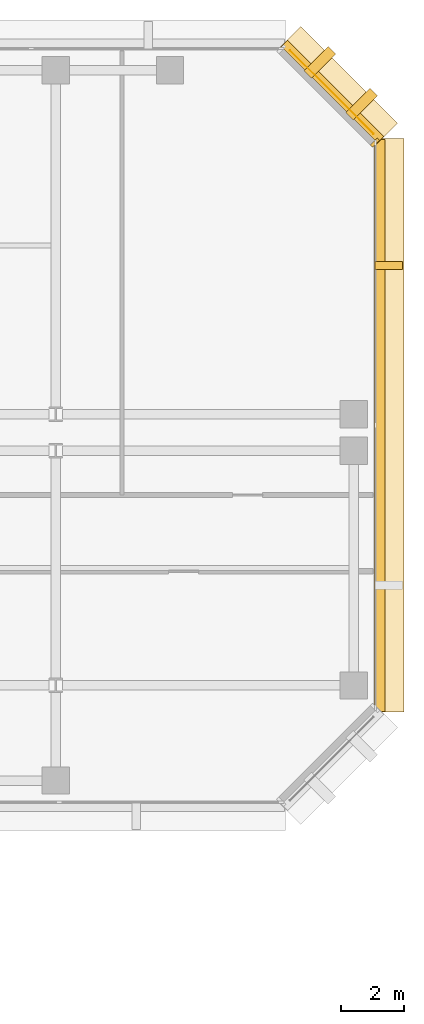
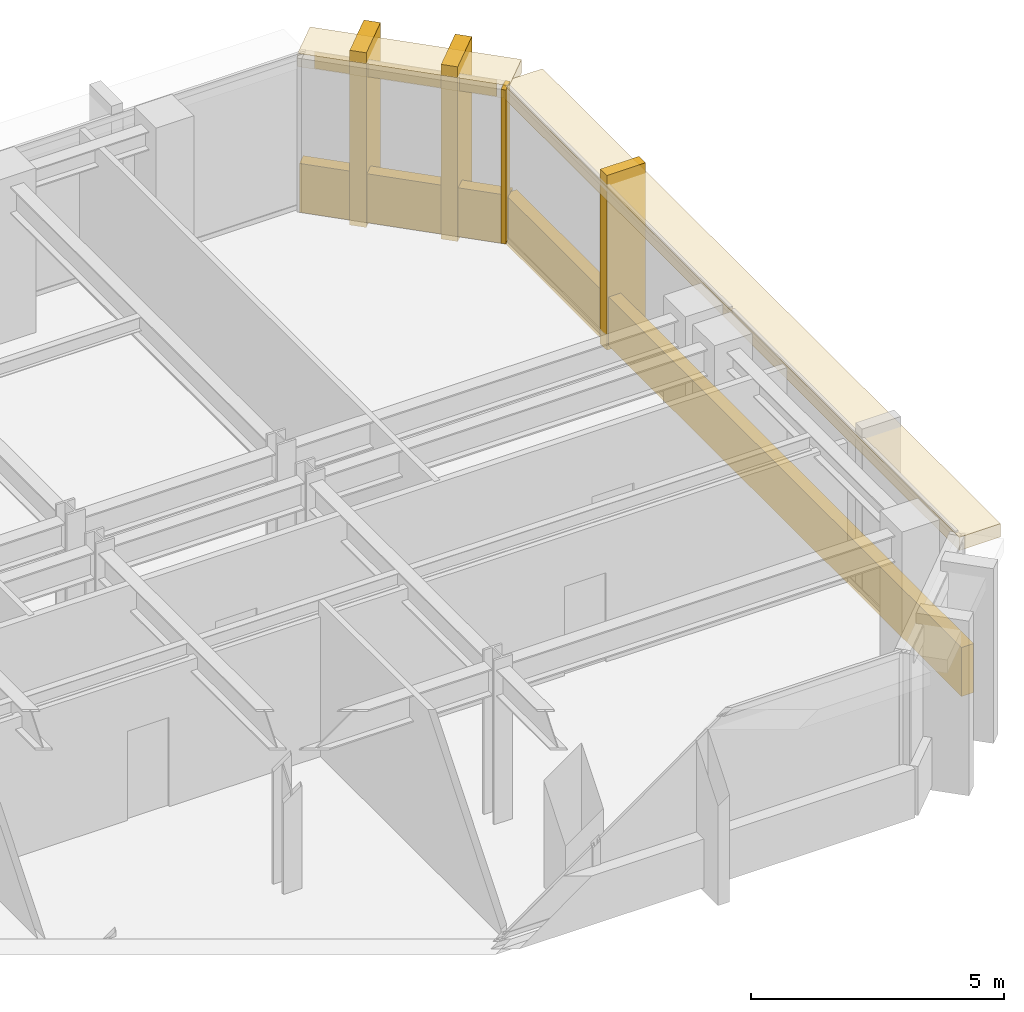
# One storey, part 12 of 12: 9 coverings.
"""IFC4 building model written with IfcOpenShell, lengths in metres."""

from ifc_helpers import new_model, si_unit, direction, frame, origin, origin_2d, place, context, subcontext, project, spatial, rectangle, extrude, material, layer, layer_set, type_object, element, save


model = new_model("IFC4")

# Units and contexts
model_context = context("Model", 3, precision=1e-05, world=origin(), true_north=direction((0.0, 1.0)))
body_context = subcontext(model_context, "Body", "Model", "MODEL_VIEW")
ifc_project = project(units=[si_unit("LENGTHUNIT", "METRE"), si_unit("AREAUNIT", "SQUARE_METRE"), si_unit("VOLUMEUNIT", "CUBIC_METRE"), si_unit("PLANEANGLEUNIT", "RADIAN"), si_unit("MASSUNIT", "GRAM", prefix="KILO")], contexts=[model_context])

# Site, building, storey
site_placement = place(None, origin())
site = spatial("IfcSite", under=ifc_project, at=site_placement, CompositionType="ELEMENT")
building_placement = place(site_placement, origin())
building = spatial("IfcBuilding", under=site, at=building_placement, Name="Kefirva Bronze Tower", CompositionType="ELEMENT")
storey_placement = place(building_placement, frame((0.0, 0.0, 118.469970703125)))
storey = spatial("IfcBuildingStorey", under=building, at=storey_placement, Name="L28", CompositionType="ELEMENT", Elevation=118.469970703125)

# Coverings
ifc_material = material(Name="Bronze anodised aluminium", Category="aluminium")
ifc_layer_1 = layer(ifc_material, 0.02001953125, Name="Bronze anodised aluminium")
ifc_layer_set_1 = layer_set([ifc_layer_1], Name="Bronze anodised aluminium")
covering_type_1 = type_object("IfcCoveringType", Name="Anodised Bronze Spandrel Cladding 20mm", PredefinedType="CLADDING", material=ifc_layer_set_1)
covering_1_placement = place(storey_placement, frame((50.239990234375, 34.0, -0.16015625), z_axis=(0.0, 0.0, 1.0), x_axis=(0.0, 1.0, 0.0)))
element("IfcCovering", 1, at=covering_1_placement, inside=storey, type_object=covering_type_1, Name="L28 Streamline Horizontal Spandrel Band 10", PredefinedType="CLADDING", context=body_context, shape_type="SweptSolid", body=[
    extrude(rectangle(XDim=18.0400390625, YDim=0.280029296875, at=origin_2d()), origin(), (0.0, 0.0, 1.0), 1.179931640625),
])
covering_2_placement = place(storey_placement, frame((48.70703125, 44.507080078125, 3.2900390625), z_axis=(0.0, 0.0, 1.0), x_axis=(-0.707106781187, 0.707106781187, 0.0)))
element("IfcCovering", 2, at=covering_2_placement, inside=storey, type_object=covering_type_1, Name="L28 Bronze Spandrel Cladding 7", PredefinedType="CLADDING", context=body_context, shape_type="SweptSolid", body=[
    extrude(rectangle(XDim=3.719482421875, YDim=0.02001953125, at=origin_2d()), origin(), (0.0, 0.0, 1.0), 0.39990234375),
])
covering_3_placement = place(storey_placement, frame((50.06201171875, 42.91162109375, 0.0), z_axis=(0.0, 0.0, 1.0), x_axis=(-0.707106781187, 0.707106781187, 0.0)))
element("IfcCovering", 3, at=covering_3_placement, inside=storey, type_object=covering_type_1, Name="L28 Facade Joint Closure Panel 7S", PredefinedType="CLADDING", context=body_context, shape_type="SweptSolid", body=[
    extrude(rectangle(XDim=0.10009765625, YDim=0.320068359375, at=origin_2d()), origin(), (0.0, 0.0, 1.0), 3.7099609375),
])
covering_4_placement = place(storey_placement, frame((48.728271484375, 44.5283203125, -0.16015625), z_axis=(0.0, 0.0, 1.0), x_axis=(-0.707106781187, 0.707106781187, 0.0)))
element("IfcCovering", 4, at=covering_4_placement, inside=storey, type_object=covering_type_1, Name="L28 Streamline Horizontal Spandrel Band 11", PredefinedType="CLADDING", context=body_context, shape_type="SweptSolid", body=[
    extrude(rectangle(XDim=4.28271484375, YDim=0.280029296875, at=origin_2d()), origin(), (0.0, 0.0, 1.0), 1.179931640625),
])
ifc_layer_2 = layer(ifc_material, 0.179931640625, Name="Bronze anodised aluminium")
ifc_layer_set_2 = layer_set([ifc_layer_2], Name="Bronze anodised aluminium")
covering_type_2 = type_object("IfcCoveringType", Name="Streamline Bronze Sunshade Eyebrow Cladding 180mm", PredefinedType="CLADDING", material=ifc_layer_set_2)
covering_5_placement = place(storey_placement, frame((50.510009765625, 34.0, 3.39013671875), z_axis=(0.0, 0.0, 1.0), x_axis=(0.0, 1.0, 0.0)))
element("IfcCovering", 5, at=covering_5_placement, inside=storey, type_object=covering_type_2, Name="L28 Streamline Bronze Sunshade Eyebrow 10", PredefinedType="CLADDING", context=body_context, shape_type="SweptSolid", body=[
    extrude(rectangle(XDim=18.080078125, YDim=0.93994140625, at=origin_2d()), origin(), (0.0, 0.0, 1.0), 0.320068359375),
])
covering_6_placement = place(storey_placement, frame((48.919189453125, 44.71923828125, 3.39013671875), z_axis=(0.0, 0.0, 1.0), x_axis=(-0.707106781187, 0.707106781187, 0.0)))
element("IfcCovering", 6, at=covering_6_placement, inside=storey, type_object=covering_type_2, Name="L28 Streamline Bronze Sunshade Eyebrow 11", PredefinedType="CLADDING", context=body_context, shape_type="SweptSolid", body=[
    extrude(rectangle(XDim=4.322509765625, YDim=0.93994140625, at=origin_2d()), origin(), (0.0, 0.0, 1.0), 0.320068359375),
])
ifc_layer_3 = layer(ifc_material, 0.260009765625, Name="Bronze anodised aluminium")
ifc_layer_set_3 = layer_set([ifc_layer_3], Name="Bronze anodised aluminium")
covering_type_3 = type_object("IfcCoveringType", Name="Unbroken Bronze Buttress Fin Cladding 260mm", PredefinedType="CLADDING", material=ifc_layer_set_3)
covering_7_placement = place(storey_placement, frame((50.5, 39.0400390625, -0.25), z_axis=(0.0, 0.0, 1.0), x_axis=(0.0, 1.0, 0.0)))
element("IfcCovering", 7, at=covering_7_placement, inside=storey, type_object=covering_type_3, Name="L28 Unbroken Vertical Bronze Rib Fin 14", PredefinedType="CLADDING", context=body_context, shape_type="SweptSolid", body=[
    extrude(rectangle(XDim=0.260009765625, YDim=0.8798828125, at=origin_2d()), origin(), (0.0, 0.0, 1.0), 4.2099609375),
])
for number, where, z_axis, x_axis, name in (
    (8, (49.642822265625, 44.122802734375, -0.25), (0.0, 0.0, 1.0), (-0.707106781187, 0.707106781187, 0.0), "L28 Chamfered Corner Buttress Fin Cladding 15"),
    (9, (48.32275390625, 45.44287109375, -0.25), (0.0, 0.0, 1.0), (-0.707106781187, 0.707106781187, 0.0), "L28 Chamfered Corner Buttress Fin Cladding 16"),
):
    element("IfcCovering", number, at=place(storey_placement, frame(where, z_axis=z_axis, x_axis=x_axis)), inside=storey, type_object=covering_type_3, Name=name, PredefinedType="CLADDING", context=body_context, shape_type="SweptSolid", body=[
        extrude(rectangle(XDim=0.340087890625, YDim=1.080078125, at=origin_2d()), origin(), (0.0, 0.0, 1.0), 4.2099609375),
    ])

save(model, "model.ifc")
